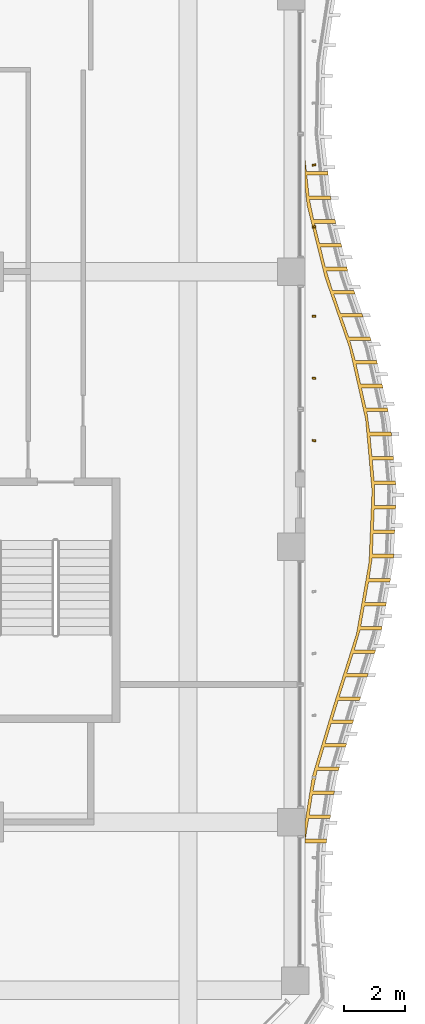
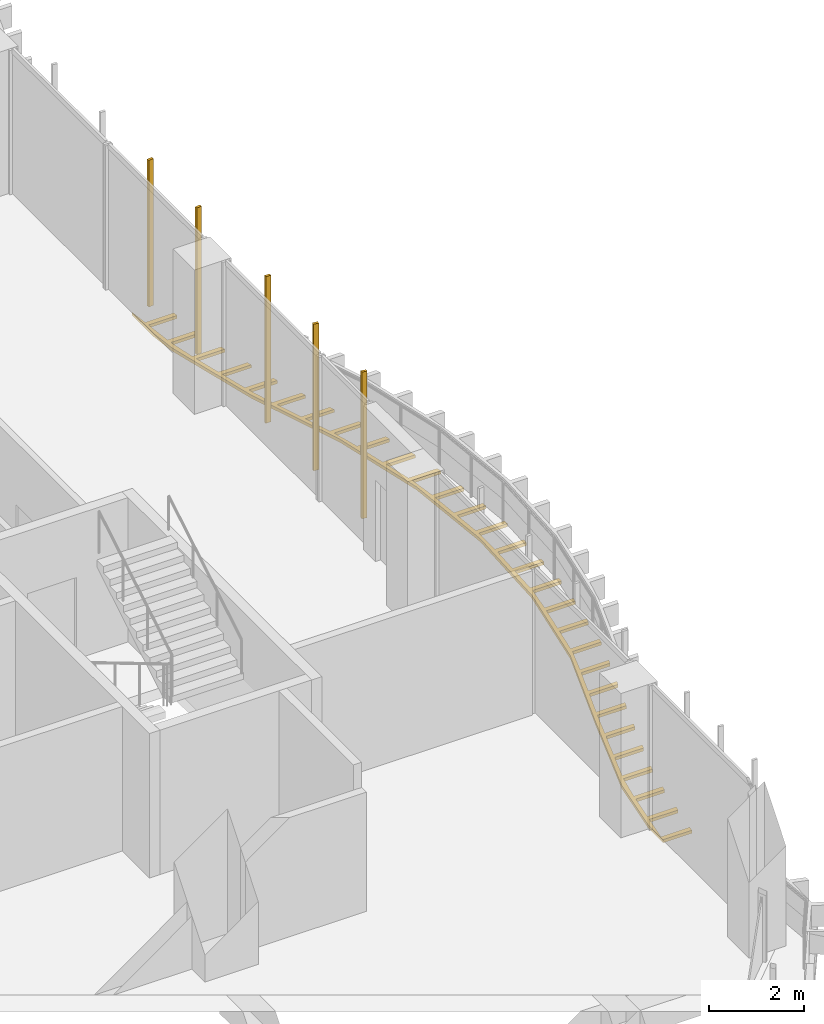
# One storey, part 22 of 24: 6 shading devices.
"""IFC4 building model written with IfcOpenShell, lengths in metres."""

from ifc_helpers import new_model, si_unit, direction, frame, origin, origin_2d, place, context, subcontext, project, spatial, polyline, rectangle, outline, extrude, source, transform, mapped, material, layer, layer_set, material_profile, profile_set, type_object, element, save


model = new_model("IFC4")

# Units and contexts
model_context = context("Model", 3, precision=1e-05, world=origin(), true_north=direction((0.0, 1.0)))
body_context = subcontext(model_context, "Body", "Model", "MODEL_VIEW")
ifc_project = project(units=[si_unit("LENGTHUNIT", "METRE"), si_unit("AREAUNIT", "SQUARE_METRE"), si_unit("VOLUMEUNIT", "CUBIC_METRE"), si_unit("PLANEANGLEUNIT", "RADIAN"), si_unit("MASSUNIT", "GRAM", prefix="KILO")], contexts=[model_context])

# Site, building, storey
site_placement = place(None, origin())
site = spatial("IfcSite", under=ifc_project, at=site_placement, CompositionType="ELEMENT")
building_placement = place(site_placement, origin())
building = spatial("IfcBuilding", under=site, at=building_placement, Name="Kilnfold Tower and Market Hall", CompositionType="ELEMENT")
storey_placement = place(building_placement, frame((0.0, 0.0, 35.0)))
storey = spatial("IfcBuildingStorey", under=building, at=storey_placement, Name="L07", CompositionType="ELEMENT", Elevation=35.0)

# Shading devices
ifc_material_1 = material(Name="Terracotta", Category="masonry")
ifc_material_profile = material_profile(ifc_material_1, rectangle(XDim=0.06005859375, YDim=0.1201171875, at=origin_2d()), Name="BAG 60x120")
ifc_profile_set = profile_set([ifc_material_profile], Name="Terracotta")
shading_device_type_1 = type_object("IfcShadingDeviceType", Name="BAGUETTE", PredefinedType="USERDEFINED", material=ifc_profile_set)
shared_shape_1 = source(origin(), body_context, "Body", "SweptSolid", [
    extrude(rectangle(XDim=0.06005859375, YDim=0.1201171875, at=origin_2d()), origin(), (0.0, 0.0, 1.0), 3.780029296875),
])
for number, where, z_axis, x_axis, name in (
    (1, (28.300048828125, -6.52490234375, 0.0), (0.0, 0.0, 1.0), (0.130841118014, 0.99140334972, 0.0), "Terracotta baguette L07 E"),
    (2, (28.300048828125, -4.487548828125, 0.0), (0.0, 0.0, 1.0), (0.117608459645, 0.993060043613, 0.0), "Terracotta baguette L07 E"),
    (3, (28.300048828125, -2.46240234375, 0.0), (0.0, 0.0, 1.0), (0.01343688554, 0.999909720978, 0.0), "Terracotta baguette L07 E"),
    (4, (28.300048828125, 0.46240234375, 0.0), (0.0, 0.0, 1.0), (-0.130572912814, 0.991438709371, 0.0), "Terracotta baguette L07 E"),
    (5, (28.300048828125, 2.487548828125, 0.0), (0.0, 0.0, 1.0), (-0.11843516318, 0.992961787846, 0.0), "Terracotta baguette L07 E"),
):
    element("IfcShadingDevice", number, at=place(storey_placement, frame(where, z_axis=z_axis, x_axis=x_axis)), inside=storey, type_object=shading_device_type_1, Name=name, ObjectType="BAGUETTE", PredefinedType="USERDEFINED", context=body_context, shape_type="MappedRepresentation", body=[
        mapped(shared_shape_1, transform((0.0, 0.0, 0.0))),
    ])
ifc_material_2 = material(Name="Bronze anodised aluminium", Category="aluminium")
ifc_layer = layer(ifc_material_2, 0.080078125)
ifc_layer_set = layer_set([ifc_layer], Name="Bronze anodised aluminium")
shading_device_type_2 = type_object("IfcShadingDeviceType", Name="BRONZE SLAT SOFFIT 80", PredefinedType="USERDEFINED", material=ifc_layer_set)
shared_shape_2 = source(origin(), body_context, "Body", "SweptSolid", [
    extrude(outline(polyline([(28.24462890625, -17.5), (28.946044921875, -15.166748046875), (29.688720703125, -12.833251953125), (30.09765625, -10.5), (30.195068359375, -8.166748046875), (29.985595703125, -5.833251953125), (29.45849609375, -3.5), (28.650390625, -1.166748046875), (28.0732421875, 1.166748046875), (28.0, 1.83349609375), (28.0, 2.744140625), (28.051513671875, 2.2763671875), (28.75146484375, 2.2763671875), (28.764404296875, 2.156982421875), (28.064453125, 2.156982421875), (28.138671875, 1.481201171875), (28.838623046875, 1.481201171875), (28.851806640625, 1.36181640625), (28.15185546875, 1.36181640625), (28.289306640625, 0.697265625), (28.9892578125, 0.697265625), (29.018310546875, 0.580810546875), (28.318115234375, 0.580810546875), (28.4814453125, -0.079345703125), (29.181396484375, -0.079345703125), (29.210205078125, -0.19580078125), (28.51025390625, -0.19580078125), (28.673583984375, -0.85595703125), (29.37353515625, -0.85595703125), (29.40234375, -0.972412109375), (28.702392578125, -0.972412109375), (28.907470703125, -1.6201171875), (29.607421875, -1.6201171875), (29.646728515625, -1.7333984375), (28.94677734375, -1.7333984375), (29.169189453125, -2.376220703125), (29.869384765625, -2.376220703125), (29.90869140625, -2.489501953125), (29.20849609375, -2.489501953125), (29.43115234375, -3.132080078125), (30.131103515625, -3.132080078125), (30.17041015625, -3.245361328125), (29.470458984375, -3.245361328125), (29.649169921875, -3.900390625), (30.34912109375, -3.900390625), (30.37548828125, -4.017578125), (29.675537109375, -4.017578125), (29.825439453125, -4.680908203125), (30.525390625, -4.680908203125), (30.5517578125, -4.7978515625), (29.851806640625, -4.7978515625), (30.001708984375, -5.461181640625), (30.70166015625, -5.461181640625), (30.72802734375, -5.578125), (30.028076171875, -5.578125), (30.123046875, -6.25), (30.822998046875, -6.25), (30.833740234375, -6.36962890625), (30.1337890625, -6.36962890625), (30.194580078125, -7.046875), (30.89453125, -7.046875), (30.9052734375, -7.16650390625), (30.205322265625, -7.16650390625), (30.26611328125, -7.84375), (30.966064453125, -7.84375), (30.976806640625, -7.963134765625), (30.276611328125, -7.963134765625), (30.275146484375, -8.64208984375), (30.97509765625, -8.64208984375), (30.97021484375, -8.761962890625), (30.270263671875, -8.761962890625), (30.24169921875, -9.44140625), (30.94189453125, -9.44140625), (30.936767578125, -9.561279296875), (30.23681640625, -9.561279296875), (30.20849609375, -10.240478515625), (30.908447265625, -10.240478515625), (30.9033203125, -10.360595703125), (30.203369140625, -10.360595703125), (30.104248046875, -11.0322265625), (30.80419921875, -11.0322265625), (30.78369140625, -11.150390625), (30.08349609375, -11.150390625), (29.96630859375, -11.8203125), (30.666259765625, -11.8203125), (30.6455078125, -11.9384765625), (29.945556640625, -11.9384765625), (29.827880859375, -12.608154296875), (30.528076171875, -12.608154296875), (30.50732421875, -12.726318359375), (29.807373046875, -12.726318359375), (29.615234375, -13.3779296875), (30.315185546875, -13.3779296875), (30.27880859375, -13.4921875), (29.578857421875, -13.4921875), (29.372802734375, -14.14013671875), (30.07275390625, -14.14013671875), (30.036376953125, -14.254638671875), (29.336181640625, -14.254638671875), (29.130126953125, -14.902587890625), (29.830078125, -14.902587890625), (29.793701171875, -15.016845703125), (29.09375, -15.016845703125), (28.8955078125, -15.66748046875), (29.595703125, -15.66748046875), (29.56103515625, -15.7822265625), (28.861083984375, -15.7822265625), (28.665283203125, -16.43359375), (29.365234375, -16.43359375), (29.330810546875, -16.54833984375), (28.630615234375, -16.54833984375), (28.43505859375, -17.19970703125), (29.135009765625, -17.19970703125), (29.100341796875, -17.314697265625), (28.400390625, -17.314697265625), (28.268310546875, -17.98046875), (28.968505859375, -17.98046875), (28.94970703125, -18.098876953125), (28.24951171875, -18.098876953125), (28.14306640625, -18.7705078125), (28.843017578125, -18.7705078125), (28.82421875, -18.888916015625), (28.1240234375, -18.888916015625), (28.017578125, -19.560546875), (28.717529296875, -19.560546875), (28.69873046875, -19.67919921875), (28.0, -19.67919921875), (28.0, -19.041015625), (28.24462890625, -17.5)])), origin(), (0.0, 0.0, 1.0), 0.080078125),
])
shading_device_placement = place(storey_placement, frame((0.0, 0.0, -0.300048828125)))
element("IfcShadingDevice", 6, at=shading_device_placement, inside=storey, type_object=shading_device_type_2, Name="Balcony soffit slats L07", ObjectType="SLAT", PredefinedType="USERDEFINED", context=body_context, shape_type="MappedRepresentation", body=[
    mapped(shared_shape_2, transform((0.0, 0.0, 0.0))),
])

save(model, "model.ifc")
